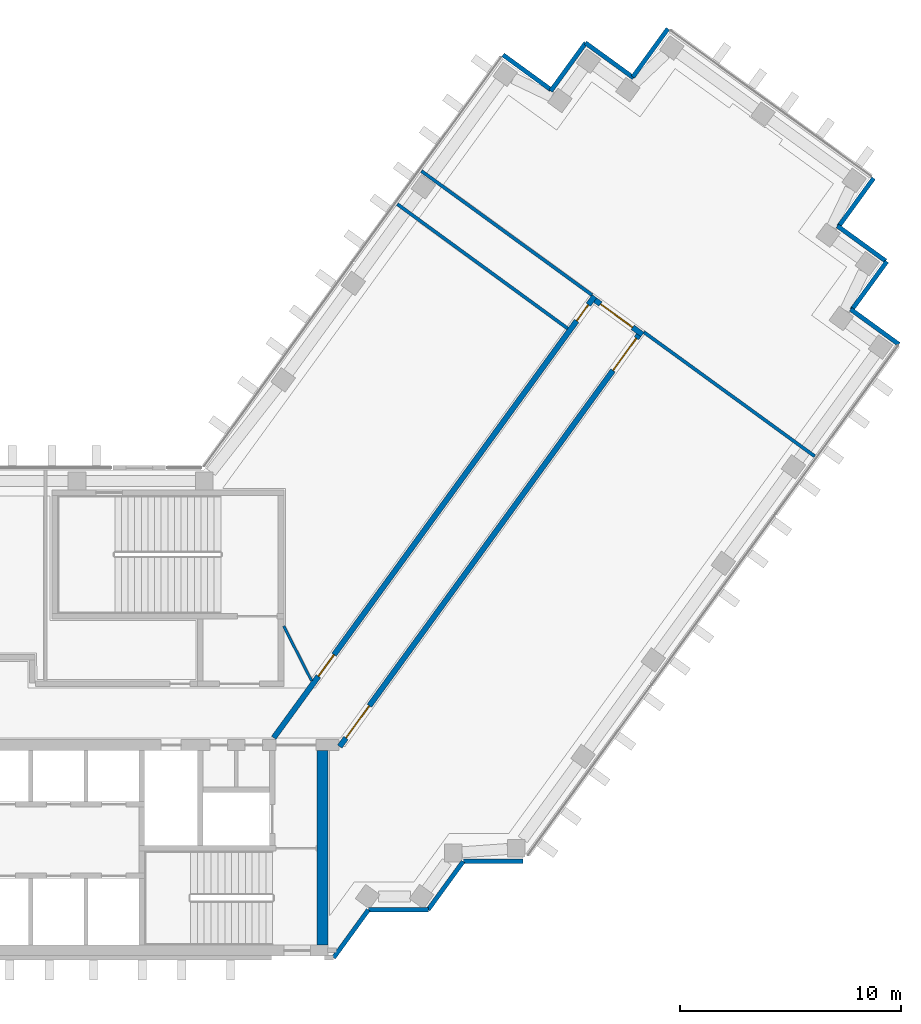
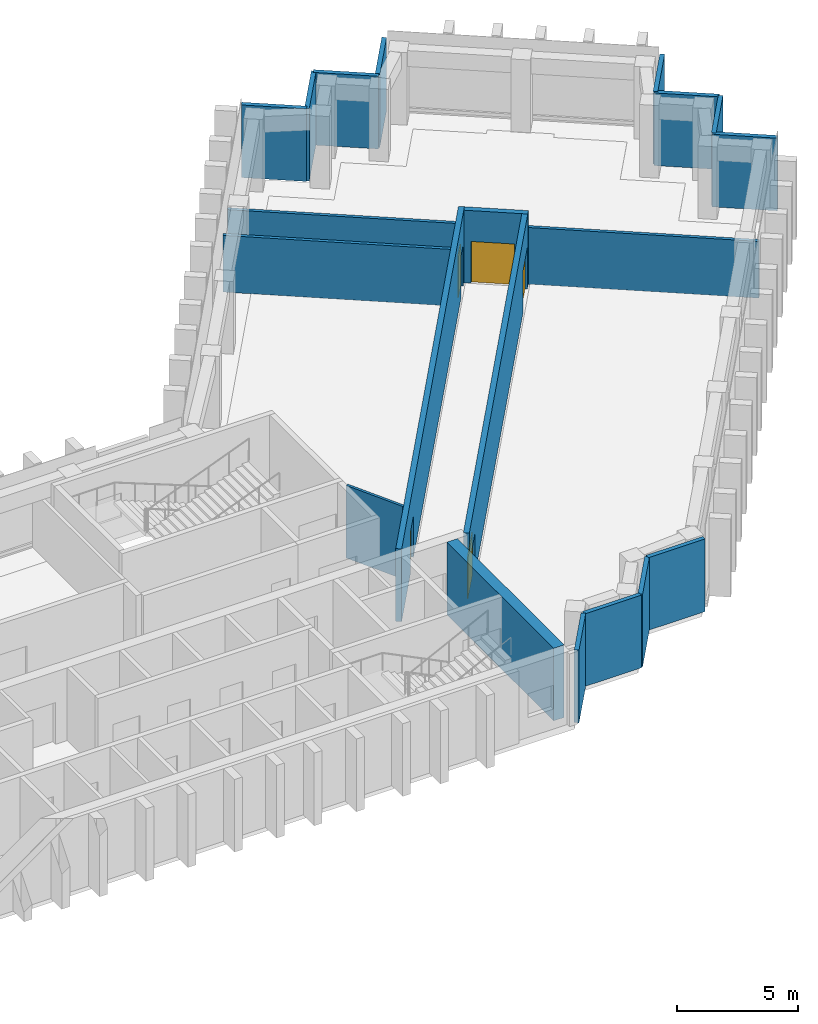
# One storey, part 7 of 10: 20 walls, 5 doors, 5 openings.
"""IFC4 building model written with IfcOpenShell, lengths in metres."""

from ifc_helpers import new_model, si_unit, direction, frame, frame_2d, origin, place, context, subcontext, project, spatial, rectangle, extrude, material, layer, layer_set, type_object, element, fill, save


model = new_model("IFC4")

# Units and contexts
model_context = context("Model", 3, precision=1e-05, world=origin(), true_north=direction((0.0, 1.0)))
body_context = subcontext(model_context, "Body", "Model", "MODEL_VIEW")
ifc_project = project(units=[si_unit("LENGTHUNIT", "METRE"), si_unit("AREAUNIT", "SQUARE_METRE"), si_unit("VOLUMEUNIT", "CUBIC_METRE"), si_unit("PLANEANGLEUNIT", "RADIAN"), si_unit("MASSUNIT", "GRAM", prefix="KILO")], contexts=[model_context])

# Site, building, storey
site_placement = place(None, origin())
site = spatial("IfcSite", under=ifc_project, at=site_placement, CompositionType="ELEMENT")
building_placement = place(site_placement, origin())
building = spatial("IfcBuilding", under=site, at=building_placement, Name="Quipu Civic Tower", CompositionType="ELEMENT")
storey_placement = place(building_placement, frame((0.0, 0.0, 180.0)))
storey = spatial("IfcBuildingStorey", under=building, at=storey_placement, Name="L42", CompositionType="ELEMENT", Elevation=180.0)

# Walls
ifc_material_1 = material(Name="Double gypsum plasterboard with mineral wool")
ifc_layer_1 = layer(ifc_material_1, 0.14990234375)
ifc_layer_set_1 = layer_set([ifc_layer_1], Name="Double gypsum plasterboard with mineral wool")
wall_type_1 = type_object("IfcWallType", Name="Acoustic partition 150 plasterboard", PredefinedType="PARTITIONING", material=ifc_layer_set_1)
for number, where, z_axis, x_axis, name in (
    (1, (31.9521484375, 18.917724609375, 0.0), (0.0, 0.0, 1.0), (-0.80898585166, 0.587828114175, 0.0), "Partition P01"),
    (2, (23.136962890625, 23.031982421875, 0.0), (0.0, 0.0, 1.0), (0.807661302092, -0.589646691759, 0.0), "Partition P02"),
):
    element("IfcWall", number, at=place(storey_placement, frame(where, z_axis=z_axis, x_axis=x_axis)), inside=storey, type_object=wall_type_1, Name=name, PredefinedType="PARTITIONING", context=body_context, shape_type="SweptSolid", body=[
        extrude(rectangle(XDim=9.550048828125, YDim=0.14990234375, at=frame_2d((4.77490234375, 0.0))), origin(), (0.0, 0.0, 1.0), 2.85009765625),
    ])
wall_1_placement = place(storey_placement, frame((34.2939453125, 17.240966796875, 0.0), z_axis=(0.0, 0.0, 1.0), x_axis=(0.808985331811, -0.587828829605, 0.0)))
element("IfcWall", 3, at=wall_1_placement, inside=storey, type_object=wall_type_1, Name="Partition P07", PredefinedType="PARTITIONING", context=body_context, shape_type="SweptSolid", body=[
    extrude(rectangle(XDim=9.56982421875, YDim=0.14990234375, at=frame_2d((4.784912109375, 0.0))), origin(), (0.0, 0.0, 1.0), 2.85009765625),
])
ifc_material_2 = material(Name="Concrete C70/85", Category="concrete")
ifc_layer_2 = layer(ifc_material_2, 0.5)
ifc_layer_set_2 = layer_set([ifc_layer_2], Name="Concrete C70/85")
wall_type_2 = type_object("IfcWallType", Name="Core wall 500", PredefinedType="SHEAR", material=ifc_layer_set_2)
wall_2_placement = place(storey_placement, frame((19.75, -10.5, 0.0), z_axis=(0.0, 0.0, 1.0), x_axis=(0.0, 1.0, 0.0)))
element("IfcWall", 4, at=wall_2_placement, inside=storey, type_object=wall_type_2, Name="Core wall", PredefinedType="SHEAR", context=body_context, shape_type="SweptSolid", body=[
    extrude(rectangle(XDim=8.800048828125, YDim=0.5, at=frame_2d((4.39990234375, 0.0))), origin(), (0.0, 0.0, 1.0), 3.64990234375),
])

# Wall, openings, doors
ifc_material_3 = material(Name="Concrete C50/60", Category="concrete")
ifc_layer_3 = layer(ifc_material_3, 0.25)
ifc_layer_set_3 = layer_set([ifc_layer_3], Name="Concrete C50/60")
wall_type_3 = type_object("IfcWallType", Name="Corridor wall 250 concrete", PredefinedType="SOLIDWALL", material=ifc_layer_set_3)
wall_3_placement = place(storey_placement, frame((17.544921875, -1.124755859375, 0.0), z_axis=(0.0, 0.0, 1.0), x_axis=(0.587791430994, 0.80901250525, 0.0)))
wall_3 = element("IfcWall", 5, at=wall_3_placement, inside=storey, type_object=wall_type_3, Name="Corridor wall C01", PredefinedType="SOLIDWALL", context=body_context, shape_type="SweptSolid", body=[
    extrude(rectangle(XDim=24.703125, YDim=0.25, at=frame_2d((12.3515625, 0.0))), origin(), (0.0, 0.0, 1.0), 3.64990234375),
])
opening_1_placement = place(wall_3_placement, frame((23.328857421875, 0.0, 0.0)))
opening_1 = element("IfcOpeningElement", 6, at=opening_1_placement, cuts=wall_3, Name="Opening D002", PredefinedType="OPENING", context=body_context, shape_type="SweptSolid", body=[
    extrude(rectangle(XDim=0.89990234375, YDim=2.10009765625, at=frame_2d((0.449951171875, 1.050048828125))), frame((0.0, 0.135009765625, 0.0), z_axis=(0.0, -1.0, 0.0), x_axis=(1.0, 0.0, 0.0)), (0.0, 0.0, 1.0), 0.27001953125),
])
opening_2_placement = place(wall_3_placement, frame((3.4423828125, 0.0, 0.0)))
opening_2 = element("IfcOpeningElement", 7, at=opening_2_placement, cuts=wall_3, Name="Opening D001", PredefinedType="OPENING", context=body_context, shape_type="SweptSolid", body=[
    extrude(rectangle(XDim=1.199951171875, YDim=2.10009765625, at=frame_2d((0.60009765625, 1.050048828125))), frame((0.0, 0.135009765625, 0.0), z_axis=(0.0, -1.0, 0.0), x_axis=(1.0, 0.0, 0.0)), (0.0, 0.0, 1.0), 0.27001953125),
])
ifc_material_4 = material(Name="Fire rated timber door set with metal frame", Category="wood")
door_type_1 = type_object("IfcDoorType", Name="Single door 1200 x 2100 FD60", OperationType="NOTDEFINED", PredefinedType="DOOR", material=ifc_material_4)
door_1_placement = place(opening_2_placement, origin())
door_1 = element("IfcDoor", 8, at=door_1_placement, inside=storey, type_object=door_type_1, Name="Door D001", OperationType="SINGLE_SWING_LEFT", OverallHeight=2.10009765625, OverallWidth=1.199951171875, PredefinedType="DOOR", context=body_context, shape_type="SweptSolid", body=[
    extrude(rectangle(XDim=1.199951171875, YDim=2.10009765625, at=frame_2d((0.60009765625, 1.050048828125))), frame((0.0, 0.02490234375, 0.0), z_axis=(0.0, -1.0, 0.0), x_axis=(1.0, 0.0, 0.0)), (0.0, 0.0, 1.0), 0.050048828125),
])
fill(opening_2, door_1)
ifc_material_5 = material(Name="Fire rated timber door set with metal frame", Category="wood")
door_type_2 = type_object("IfcDoorType", Name="Single door 900 x 2100 FD60", OperationType="NOTDEFINED", PredefinedType="DOOR", material=ifc_material_5)
door_2_placement = place(opening_1_placement, origin())
door_2 = element("IfcDoor", 9, at=door_2_placement, inside=storey, type_object=door_type_2, Name="Door D002", OperationType="SINGLE_SWING_RIGHT", OverallHeight=2.10009765625, OverallWidth=0.89990234375, PredefinedType="DOOR", context=body_context, shape_type="SweptSolid", body=[
    extrude(rectangle(XDim=0.89990234375, YDim=2.10009765625, at=frame_2d((0.449951171875, 1.050048828125))), frame((0.0, 0.02490234375, 0.0), z_axis=(0.0, -1.0, 0.0), x_axis=(1.0, 0.0, 0.0)), (0.0, 0.0, 1.0), 0.050048828125),
])
fill(opening_1, door_2)

# Wall, opening, door
wall_4_placement = place(storey_placement, frame((32.0927734375, 18.685791015625, 0.0), z_axis=(0.0, 0.0, 1.0), x_axis=(0.809006914995, -0.587799125119, 0.0)))
wall_4 = element("IfcWall", 10, at=wall_4_placement, inside=storey, type_object=wall_type_3, Name="Corridor wall C02", PredefinedType="SOLIDWALL", context=body_context, shape_type="SweptSolid", body=[
    extrude(rectangle(XDim=2.64990234375, YDim=0.25, at=frame_2d((1.324951171875, 0.0))), origin(), (0.0, 0.0, 1.0), 3.64990234375),
])
opening_3_placement = place(wall_4_placement, frame((0.2998046875, 0.0, 0.0)))
opening_3 = element("IfcOpeningElement", 11, at=opening_3_placement, cuts=wall_4, Name="Opening D005", PredefinedType="OPENING", context=body_context, shape_type="SweptSolid", body=[
    extrude(rectangle(XDim=1.800048828125, YDim=2.10009765625, at=frame_2d((0.89990234375, 1.050048828125))), frame((0.0, 0.135009765625, 0.0), z_axis=(0.0, -1.0, 0.0), x_axis=(1.0, 0.0, 0.0)), (0.0, 0.0, 1.0), 0.27001953125),
])
ifc_material_6 = material(Name="Fire rated timber door set with metal frame", Category="wood")
door_type_3 = type_object("IfcDoorType", Name="Double door 1800 x 2100 FD60", OperationType="DOUBLE_DOOR_SINGLE_SWING", PredefinedType="DOOR", material=ifc_material_6)
door_3_placement = place(opening_3_placement, origin())
door_3 = element("IfcDoor", 12, at=door_3_placement, inside=storey, type_object=door_type_3, Name="Door D005", OperationType="DOUBLE_DOOR_SINGLE_SWING", OverallHeight=2.10009765625, OverallWidth=1.800048828125, PredefinedType="DOOR", context=body_context, shape_type="SweptSolid", body=[
    extrude(rectangle(XDim=1.800048828125, YDim=2.10009765625, at=frame_2d((0.89990234375, 1.050048828125))), frame((0.0, 0.02490234375, 0.0), z_axis=(0.0, -1.0, 0.0), x_axis=(1.0, 0.0, 0.0)), (0.0, 0.0, 1.0), 0.050048828125),
])
fill(opening_3, door_3)

# Wall, openings, doors
wall_5_placement = place(storey_placement, frame((34.06201171875, 17.1005859375, 0.0), z_axis=(0.0, 0.0, 1.0), x_axis=(-0.58778129431, -0.809019870003, 0.0)))
wall_5 = element("IfcWall", 13, at=wall_5_placement, inside=storey, type_object=wall_type_3, Name="Corridor wall C03", PredefinedType="SOLIDWALL", context=body_context, shape_type="SweptSolid", body=[
    extrude(rectangle(XDim=23.0205078125, YDim=0.25, at=frame_2d((11.51025390625, 0.0))), origin(), (0.0, 0.0, 1.0), 3.64990234375),
])
opening_4_placement = place(wall_5_placement, frame((20.7373046875, 0.0, 0.0)))
opening_4 = element("IfcOpeningElement", 14, at=opening_4_placement, cuts=wall_5, Name="Opening D003", PredefinedType="OPENING", context=body_context, shape_type="SweptSolid", body=[
    extrude(rectangle(XDim=1.800048828125, YDim=2.10009765625, at=frame_2d((0.89990234375, 1.050048828125))), frame((0.0, 0.135009765625, 0.0), z_axis=(0.0, -1.0, 0.0), x_axis=(1.0, 0.0, 0.0)), (0.0, 0.0, 1.0), 0.27001953125),
])
opening_5_placement = place(wall_5_placement, frame((0.174072265625, 0.0, 0.0)))
opening_5 = element("IfcOpeningElement", 15, at=opening_5_placement, cuts=wall_5, Name="Opening D004", PredefinedType="OPENING", context=body_context, shape_type="SweptSolid", body=[
    extrude(rectangle(XDim=1.800048828125, YDim=2.10009765625, at=frame_2d((0.89990234375, 1.050048828125))), frame((0.0, 0.135009765625, 0.0), z_axis=(0.0, -1.0, 0.0), x_axis=(1.0, 0.0, 0.0)), (0.0, 0.0, 1.0), 0.27001953125),
])
door_4_placement = place(opening_4_placement, origin())
door_4 = element("IfcDoor", 16, at=door_4_placement, inside=storey, type_object=door_type_3, Name="Door D003", OperationType="DOUBLE_DOOR_SINGLE_SWING", OverallHeight=2.10009765625, OverallWidth=1.800048828125, PredefinedType="DOOR", context=body_context, shape_type="SweptSolid", body=[
    extrude(rectangle(XDim=1.800048828125, YDim=2.10009765625, at=frame_2d((0.89990234375, 1.050048828125))), frame((0.0, 0.02490234375, 0.0), z_axis=(0.0, -1.0, 0.0), x_axis=(1.0, 0.0, 0.0)), (0.0, 0.0, 1.0), 0.050048828125),
])
fill(opening_4, door_4)
door_5_placement = place(opening_5_placement, origin())
door_5 = element("IfcDoor", 17, at=door_5_placement, inside=storey, type_object=door_type_3, Name="Door D004", OperationType="DOUBLE_DOOR_SINGLE_SWING", OverallHeight=2.10009765625, OverallWidth=1.800048828125, PredefinedType="DOOR", context=body_context, shape_type="SweptSolid", body=[
    extrude(rectangle(XDim=1.800048828125, YDim=2.10009765625, at=frame_2d((0.89990234375, 1.050048828125))), frame((0.0, 0.02490234375, 0.0), z_axis=(0.0, -1.0, 0.0), x_axis=(1.0, 0.0, 0.0)), (0.0, 0.0, 1.0), 0.050048828125),
])
fill(opening_5, door_5)

# Walls
ifc_material_7 = material(Name="Gypsum plasterboard on light gauge framing")
ifc_layer_4 = layer(ifc_material_7, 0.1201171875)
ifc_layer_set_4 = layer_set([ifc_layer_4], Name="Gypsum plasterboard on light gauge framing")
wall_type_4 = type_object("IfcWallType", Name="Partition 120 plasterboard", PredefinedType="PARTITIONING", material=ifc_layer_set_4)
wall_6_placement = place(storey_placement, frame((18.0, 3.925048828125, 0.0), z_axis=(0.0, 0.0, 1.0), x_axis=(0.453950796792, -0.891026752736, 0.0)))
element("IfcWall", 18, at=wall_6_placement, inside=storey, type_object=wall_type_4, Name="Partition P09", PredefinedType="PARTITIONING", context=body_context, shape_type="SweptSolid", body=[
    extrude(rectangle(XDim=2.77783203125, YDim=0.1201171875, at=frame_2d((1.388916015625, 0.0))), origin(), (0.0, 0.0, 1.0), 3.64990234375),
])
ifc_material_8 = material(Name="Precast concrete C40/50", Category="concrete")
wall_type_5 = type_object("IfcWallType", Name="Precast cladding wall", PredefinedType="SOLIDWALL", material=ifc_material_8)
wall_7_placement = place(storey_placement, frame((20.253173828125, -11.083251953125, 0.0), z_axis=(0.0, 0.0, 1.0), x_axis=(0.587766567315, 0.809030569476, 0.0)))
element("IfcWall", 19, at=wall_7_placement, inside=storey, type_object=wall_type_5, Name="Precast cladding wall L42 16", PredefinedType="SOLIDWALL", context=body_context, shape_type="SweptSolid", body=[
    extrude(rectangle(XDim=2.687744140625, YDim=0.199951171875, at=frame_2d((1.34375, 0.0))), origin(), (0.0, 0.0, 1.0), 3.64990234375),
])
wall_8_placement = place(storey_placement, frame((21.8427734375, -8.90380859375, 0.0), z_axis=(0.0, 0.0, 1.0), x_axis=(1.0, 0.0, 0.0)))
element("IfcWall", 20, at=wall_8_placement, inside=storey, type_object=wall_type_5, Name="Precast cladding wall L42 17", PredefinedType="SOLIDWALL", context=body_context, shape_type="SweptSolid", body=[
    extrude(rectangle(XDim=2.699951171875, YDim=0.199951171875, at=frame_2d((1.35009765625, 0.0))), origin(), (0.0, 0.0, 1.0), 3.64990234375),
])
wall_9_placement = place(storey_placement, frame((24.533203125, -8.90869140625, 0.0), z_axis=(0.0, 0.0, 1.0), x_axis=(0.587720002413, 0.809064397168, 0.0)))
element("IfcWall", 21, at=wall_9_placement, inside=storey, type_object=wall_type_5, Name="Precast cladding wall L42 18", PredefinedType="SOLIDWALL", context=body_context, shape_type="SweptSolid", body=[
    extrude(rectangle(XDim=2.7001953125, YDim=0.199951171875, at=frame_2d((1.35009765625, 0.0))), origin(), (0.0, 0.0, 1.0), 3.64990234375),
])
for number, where, z_axis, x_axis, name in (
    (22, (26.1298828125, -6.71923828125, 0.0), (0.0, 0.0, 1.0), (1.0, 0.0, 0.0), "Precast cladding wall L42 19"),
    (23, (45.84228515625, 16.6845703125, 0.0), (0.0, 0.0, 1.0), (-0.808958916286, 0.58786518162, 0.0), "Precast cladding wall L42 21"),
    (24, (43.70947265625, 18.249267578125, 0.0), (0.0, 0.0, 1.0), (0.587762999008, 0.809033161865, 0.0), "Precast cladding wall L42 22"),
    (25, (45.2451171875, 20.4560546875, 0.0), (0.0, 0.0, 1.0), (-0.809033161865, 0.587762999008, 0.0), "Precast cladding wall L42 23"),
    (26, (43.112548828125, 22.020263671875, 0.0), (0.0, 0.0, 1.0), (0.587762999008, 0.809033161865, 0.0), "Precast cladding wall L42 24"),
    (27, (35.3876953125, 30.97021484375, 0.0), (0.0, 0.0, 1.0), (-0.587762999008, -0.809033161865, 0.0), "Precast cladding wall L42 26"),
    (28, (33.837890625, 28.743896484375, 0.0), (0.0, 0.0, 1.0), (-0.809033161865, 0.587762999008, 0.0), "Precast cladding wall L42 27"),
    (29, (31.67041015625, 30.33349609375, 0.0), (0.0, 0.0, 1.0), (-0.587762999008, -0.809033161865, 0.0), "Precast cladding wall L42 28"),
    (30, (30.105712890625, 28.2001953125, 0.0), (0.0, 0.0, 1.0), (-0.809033161865, 0.587762999008, 0.0), "Precast cladding wall L42 29"),
):
    element("IfcWall", number, at=place(storey_placement, frame(where, z_axis=z_axis, x_axis=x_axis)), inside=storey, type_object=wall_type_5, Name=name, PredefinedType="SOLIDWALL", context=body_context, shape_type="SweptSolid", body=[
        extrude(rectangle(XDim=2.699951171875, YDim=0.199951171875, at=frame_2d((1.35009765625, 0.0))), origin(), (0.0, 0.0, 1.0), 3.64990234375),
    ])

save(model, "model.ifc")
